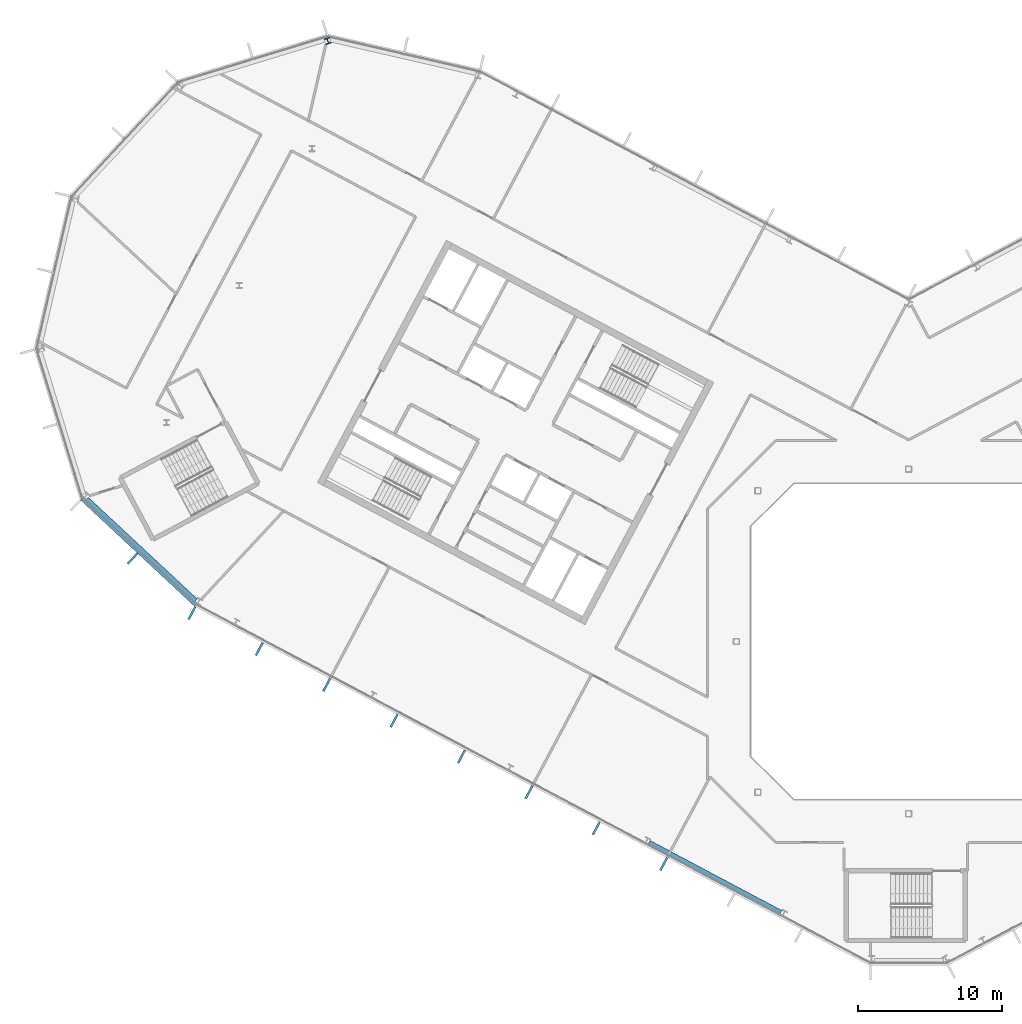
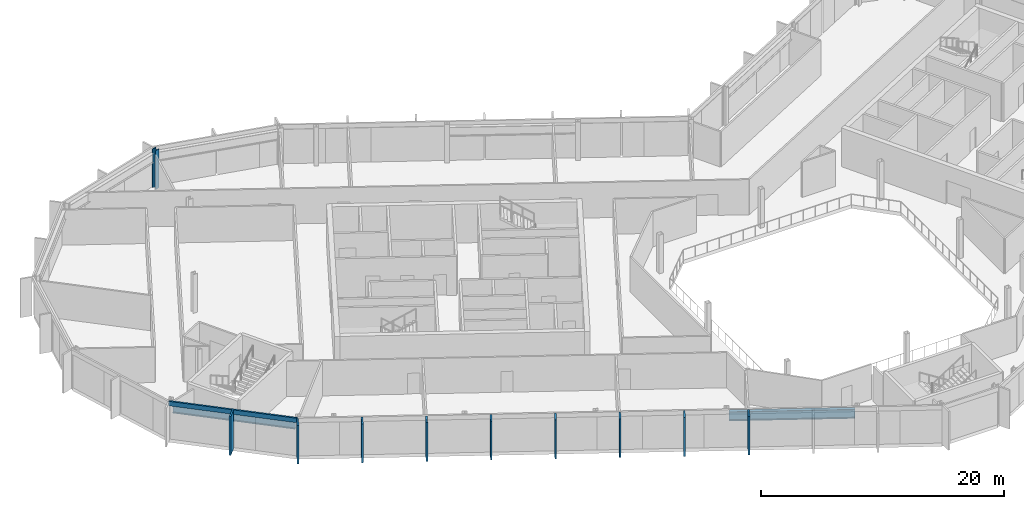
# One storey, part 8 of 25: 10 members, 2 beams, 1 column, 2 elements without a shape of their own.
"""IFC4 building model written with IfcOpenShell, lengths in metres."""

from ifc_helpers import new_model, si_unit, direction, frame, origin, origin_2d, place, context, subcontext, project, spatial, rectangle, i_section, extrude, material, layer, layer_set, material_profile, profile_set, type_object, element, aggregate, save


model = new_model("IFC4")

# Units and contexts
model_context = context("Model", 3, precision=1e-05, world=origin(), true_north=direction((0.0, 1.0)))
body_context = subcontext(model_context, "Body", "Model", "MODEL_VIEW")
ifc_project = project(units=[si_unit("LENGTHUNIT", "METRE"), si_unit("AREAUNIT", "SQUARE_METRE"), si_unit("VOLUMEUNIT", "CUBIC_METRE"), si_unit("PLANEANGLEUNIT", "RADIAN"), si_unit("MASSUNIT", "GRAM", prefix="KILO")], contexts=[model_context])

# Site, building, storey
site_placement = place(None, origin())
site = spatial("IfcSite", under=ifc_project, at=site_placement, CompositionType="ELEMENT")
building_placement = place(site_placement, origin())
building = spatial("IfcBuilding", under=site, at=building_placement, Name="Cormorant Relay Tower", CompositionType="ELEMENT")
storey_placement = place(building_placement, frame((0.0, 0.0, 265.800048828125)))
storey = spatial("IfcBuildingStorey", under=building, at=storey_placement, Name="L59", CompositionType="ELEMENT", Elevation=265.800048828125)

# Column
ifc_material_1 = material(Name="Steel ASTM A992 (Fy 345 MPa)", Category="steel")
ifc_material_profile_1 = material_profile(ifc_material_1, i_section(OverallWidth=0.40380859375, OverallDepth=0.406494140625, WebThickness=0.027099609375, FlangeThickness=0.043701171875, FilletRadius=0.01513671875, at=origin_2d()), Name="W360x347")
ifc_profile_set_1 = profile_set([ifc_material_profile_1], Name="Steel ASTM A992 (Fy 345 MPa)")
column_type = type_object("IfcColumnType", Name="Column W360x347", PredefinedType="COLUMN", material=ifc_profile_set_1)
column_placement = place(storey_placement, frame((-40.455078125, 41.823974609375, 0.0), z_axis=(0.0, 0.0, 1.0), x_axis=(-0.956304755963, -0.292371704723, 0.0)))
element("IfcColumn", 1, at=column_placement, inside=storey, type_object=column_type, Name="Column L59-043", PredefinedType="COLUMN", context=body_context, shape_type="SweptSolid", body=[
    extrude(i_section(OverallWidth=0.40380859375, OverallDepth=0.406494140625, WebThickness=0.027099609375, FlangeThickness=0.043701171875, FilletRadius=0.01513671875, at=origin_2d()), origin(), (0.0, 0.0, 1.0), 3.89990234375),
])

# Curtain wall, member
ifc_material_2 = material(Name="Aluminium 6063-T6 anodised bronze", Category="aluminium")
ifc_layer = layer(ifc_material_2, 0.199951171875)
ifc_layer_set = layer_set([ifc_layer], Name="CW1 unitised bronze curtain wall with vertical fins")
curtain_wall_type = type_object("IfcCurtainWallType", Name="CW1 unitised bronze curtain wall with vertical fins", PredefinedType="NOTDEFINED", material=ifc_layer_set)
curtain_wall_1_placement = place(storey_placement, origin())
curtain_wall_1 = element("IfcCurtainWall", 2, at=curtain_wall_1_placement, inside=storey, type_object=curtain_wall_type, Name="CW1 curtain wall 15", PredefinedType="NOTDEFINED")
ifc_material_3 = material(Name="Aluminium 6063-T6 anodised bronze", Category="aluminium")
ifc_material_profile_2 = material_profile(ifc_material_3, rectangle(XDim=0.14990234375, YDim=1.0, at=origin_2d()), Name="AL 150x1000")
ifc_profile_set_2 = profile_set([ifc_material_profile_2], Name="Aluminium 6063-T6 anodised bronze")
member_type_1 = type_object("IfcMemberType", Name="CW1 bronze fin mullion 150 x 1000", PredefinedType="MULLION", material=ifc_profile_set_2)
member_1_placement = place(storey_placement, frame((-54.0439453125, 5.779296875, 0.0), z_axis=(0.0, 0.0, 1.0), x_axis=(0.731353701619, -0.681998360062, 0.0)))
member_1 = element("IfcMember", 3, at=member_1_placement, type_object=member_type_1, Name="CW1 fin 15.2", PredefinedType="MULLION", context=body_context, shape_type="SweptSolid", body=[
    extrude(rectangle(XDim=0.14990234375, YDim=1.0, at=origin_2d()), origin(), (0.0, 0.0, 1.0), 3.89990234375),
])

# Curtain wall, members
curtain_wall_2_placement = place(storey_placement, origin())
curtain_wall_2 = element("IfcCurtainWall", 4, at=curtain_wall_2_placement, inside=storey, type_object=curtain_wall_type, Name="CW1 curtain wall 16", PredefinedType="NOTDEFINED")
member_2_placement = place(storey_placement, frame((-49.920166015625, 1.96630859375, 0.0), z_axis=(0.0, 0.0, 1.0), x_axis=(0.882947592859, -0.469471562786, 0.0)))
member_2 = element("IfcMember", 5, at=member_2_placement, type_object=member_type_1, Name="CW1 fin 16.1", PredefinedType="MULLION", context=body_context, shape_type="SweptSolid", body=[
    extrude(rectangle(XDim=0.14990234375, YDim=1.0, at=origin_2d()), origin(), (0.0, 0.0, 1.0), 3.89990234375),
])
member_3_placement = place(storey_placement, frame((-45.225830078125, -0.52978515625, 0.0), z_axis=(0.0, 0.0, 1.0), x_axis=(0.882947592859, -0.469471562786, 0.0)))
member_3 = element("IfcMember", 6, at=member_3_placement, type_object=member_type_1, Name="CW1 fin 16.2", PredefinedType="MULLION", context=body_context, shape_type="SweptSolid", body=[
    extrude(rectangle(XDim=0.14990234375, YDim=1.0, at=origin_2d()), origin(), (0.0, 0.0, 1.0), 3.89990234375),
])
member_4_placement = place(storey_placement, frame((-40.531494140625, -3.025634765625, 0.0), z_axis=(0.0, 0.0, 1.0), x_axis=(0.882947592859, -0.469471562786, 0.0)))
member_4 = element("IfcMember", 7, at=member_4_placement, type_object=member_type_1, Name="CW1 fin 16.3", PredefinedType="MULLION", context=body_context, shape_type="SweptSolid", body=[
    extrude(rectangle(XDim=0.14990234375, YDim=1.0, at=origin_2d()), origin(), (0.0, 0.0, 1.0), 3.89990234375),
])
member_5_placement = place(storey_placement, frame((-35.83740234375, -5.521728515625, 0.0), z_axis=(0.0, 0.0, 1.0), x_axis=(0.882947592859, -0.469471562786, 0.0)))
member_5 = element("IfcMember", 8, at=member_5_placement, type_object=member_type_1, Name="CW1 fin 16.4", PredefinedType="MULLION", context=body_context, shape_type="SweptSolid", body=[
    extrude(rectangle(XDim=0.14990234375, YDim=1.0, at=origin_2d()), origin(), (0.0, 0.0, 1.0), 3.89990234375),
])
member_6_placement = place(storey_placement, frame((-31.14306640625, -8.017578125, 0.0), z_axis=(0.0, 0.0, 1.0), x_axis=(0.882947592859, -0.469471562786, 0.0)))
member_6 = element("IfcMember", 9, at=member_6_placement, type_object=member_type_1, Name="CW1 fin 16.5", PredefinedType="MULLION", context=body_context, shape_type="SweptSolid", body=[
    extrude(rectangle(XDim=0.14990234375, YDim=1.0, at=origin_2d()), origin(), (0.0, 0.0, 1.0), 3.89990234375),
])
member_7_placement = place(storey_placement, frame((-26.44873046875, -10.513671875, 0.0), z_axis=(0.0, 0.0, 1.0), x_axis=(0.882947592859, -0.469471562786, 0.0)))
member_7 = element("IfcMember", 10, at=member_7_placement, type_object=member_type_1, Name="CW1 fin 16.6", PredefinedType="MULLION", context=body_context, shape_type="SweptSolid", body=[
    extrude(rectangle(XDim=0.14990234375, YDim=1.0, at=origin_2d()), origin(), (0.0, 0.0, 1.0), 3.89990234375),
])
member_8_placement = place(storey_placement, frame((-21.754638671875, -13.009765625, 0.0), z_axis=(0.0, 0.0, 1.0), x_axis=(0.882947592859, -0.469471562786, 0.0)))
member_8 = element("IfcMember", 11, at=member_8_placement, type_object=member_type_1, Name="CW1 fin 16.7", PredefinedType="MULLION", context=body_context, shape_type="SweptSolid", body=[
    extrude(rectangle(XDim=0.14990234375, YDim=1.0, at=origin_2d()), origin(), (0.0, 0.0, 1.0), 3.89990234375),
])
member_9_placement = place(storey_placement, frame((-17.060302734375, -15.505615234375, 0.0), z_axis=(0.0, 0.0, 1.0), x_axis=(0.882947592859, -0.469471562786, 0.0)))
member_9 = element("IfcMember", 12, at=member_9_placement, type_object=member_type_1, Name="CW1 fin 16.8", PredefinedType="MULLION", context=body_context, shape_type="SweptSolid", body=[
    extrude(rectangle(XDim=0.14990234375, YDim=1.0, at=origin_2d()), origin(), (0.0, 0.0, 1.0), 3.89990234375),
])
aggregate(curtain_wall_2, [member_2, member_3, member_4, member_5, member_6, member_7, member_8, member_9])

# Member
ifc_material_4 = material(Name="Aluminium 6063-T6 anodised bronze", Category="aluminium")
ifc_material_profile_3 = material_profile(ifc_material_4, rectangle(XDim=0.159912109375, YDim=0.449951171875, at=origin_2d()), Name="AL 160x450")
ifc_profile_set_3 = profile_set([ifc_material_profile_3], Name="Aluminium 6063-T6 anodised bronze")
member_type_2 = type_object("IfcMemberType", Name="CW1 bronze transom 160 x 450", PredefinedType="USERDEFINED", material=ifc_profile_set_3)
member_10_placement = place(storey_placement, frame((-57.62353515625, 9.91015625, 3.675048828125), z_axis=(0.731358420696, -0.681993299437, 0.0), x_axis=(0.681993299437, 0.731358420696, 0.0)))
member_10 = element("IfcMember", 13, at=member_10_placement, type_object=member_type_2, Name="CW1 transom 15", ObjectType="TRANSOM", PredefinedType="USERDEFINED", context=body_context, shape_type="SweptSolid", body=[
    extrude(rectangle(XDim=0.159912109375, YDim=0.449951171875, at=origin_2d()), origin(), (0.0, 0.0, 1.0), 10.870361328125),
])

aggregate(curtain_wall_1, [member_1, member_10])

# Beams
ifc_material_5 = material(Name="Steel ASTM A992 (Fy 345 MPa)", Category="steel")
ifc_material_profile_4 = material_profile(ifc_material_5, i_section(OverallWidth=0.307373046875, OverallDepth=0.927001953125, WebThickness=0.019287109375, FlangeThickness=0.031982421875, FilletRadius=0.01904296875, at=origin_2d()), Name="W920x289")
ifc_profile_set_4 = profile_set([ifc_material_profile_4], Name="Steel ASTM A992 (Fy 345 MPa)")
beam_type = type_object("IfcBeamType", Name="Spandrel W920x289", PredefinedType="SPANDREL", material=ifc_profile_set_4)
beam_1_placement = place(storey_placement, frame((-57.234619140625, 9.921630859375, 3.076416015625), z_axis=(0.731364191518, -0.681987110849, 0.0), x_axis=(0.681987110849, 0.731364191518, 0.0)))
element("IfcBeam", 14, at=beam_1_placement, inside=storey, type_object=beam_type, Name="Spandrel beam L59-015", PredefinedType="SPANDREL", context=body_context, shape_type="SweptSolid", body=[
    extrude(i_section(OverallWidth=0.307373046875, OverallDepth=0.927001953125, WebThickness=0.019287109375, FlangeThickness=0.031982421875, FilletRadius=0.01904296875, at=origin_2d()), origin(), (0.0, 0.0, 1.0), 10.37841796875),
])
beam_2_placement = place(storey_placement, frame((-18.0869140625, -13.992919921875, 3.076416015625), z_axis=(0.882946088703, -0.469474391681, 0.0), x_axis=(0.469474391681, 0.882946088703, 0.0)))
element("IfcBeam", 15, at=beam_2_placement, inside=storey, type_object=beam_type, Name="Spandrel beam L59-016", PredefinedType="SPANDREL", context=body_context, shape_type="SweptSolid", body=[
    extrude(i_section(OverallWidth=0.307373046875, OverallDepth=0.927001953125, WebThickness=0.019287109375, FlangeThickness=0.031982421875, FilletRadius=0.01904296875, at=origin_2d()), origin(), (0.0, 0.0, 1.0), 10.401611328125),
])

save(model, "model.ifc")
